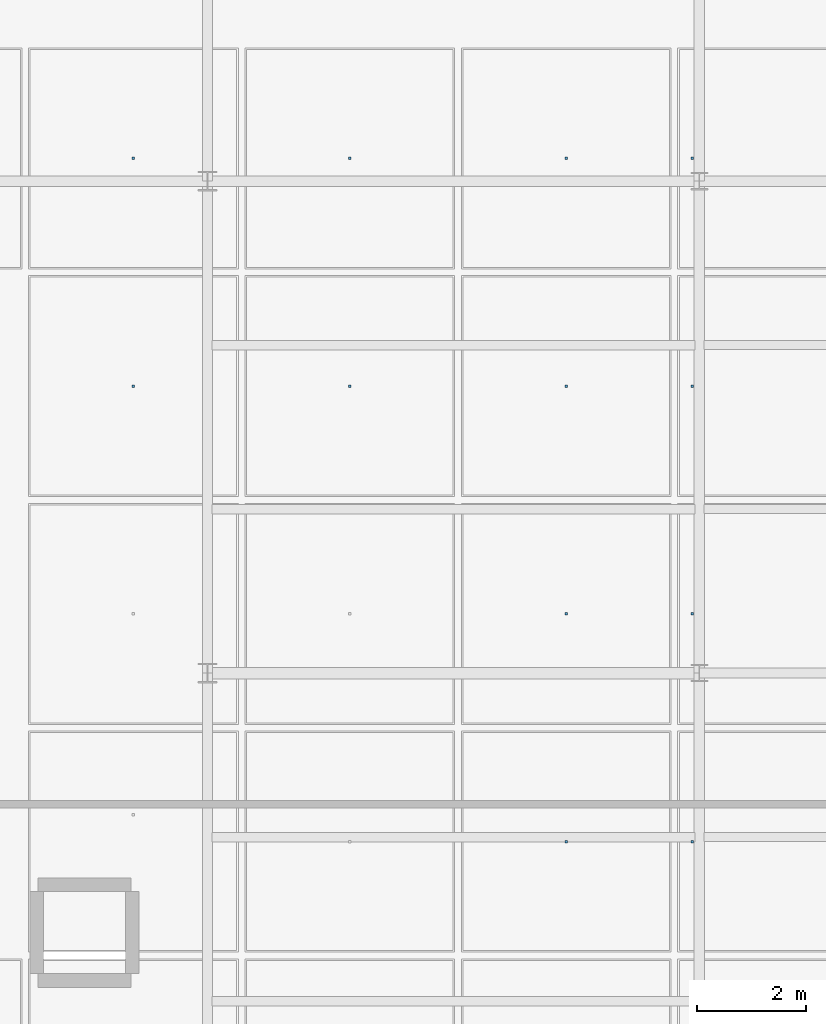
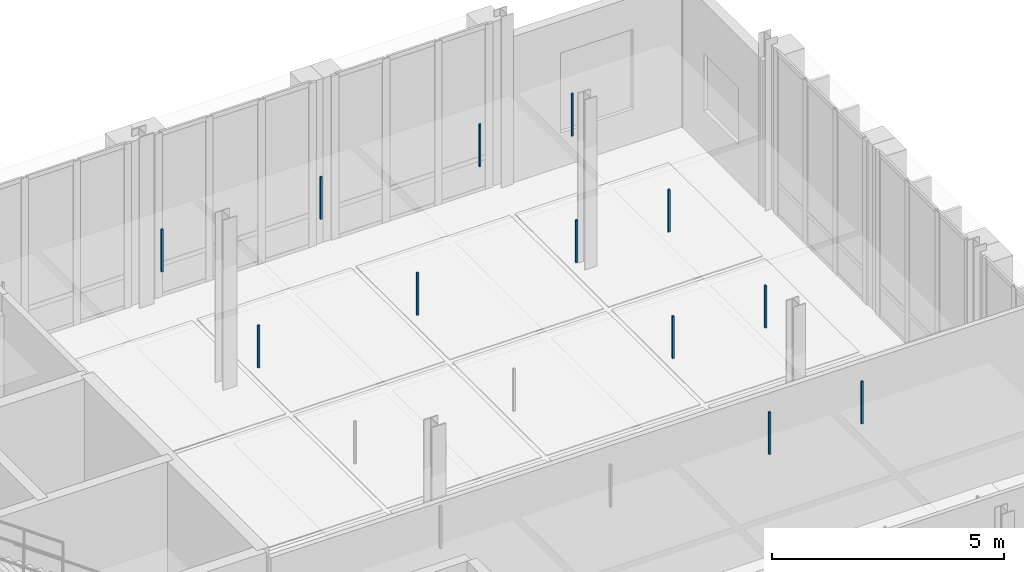
# One storey, part 116 of 130: 12 discrete accessories.
"""IFC4 building model written with IfcOpenShell, lengths in metres."""

from ifc_helpers import new_model, si_unit, direction, frame, origin, origin_2d, place, context, subcontext, project, spatial, rectangle, extrude, material, type_object, element, save


model = new_model("IFC4")

# Units and contexts
model_context = context("Model", 3, precision=1e-05, world=origin(), true_north=direction((0.0, 1.0)))
body_context = subcontext(model_context, "Body", "Model", "MODEL_VIEW")
ifc_project = project(units=[si_unit("LENGTHUNIT", "METRE"), si_unit("AREAUNIT", "SQUARE_METRE"), si_unit("VOLUMEUNIT", "CUBIC_METRE"), si_unit("PLANEANGLEUNIT", "RADIAN"), si_unit("MASSUNIT", "GRAM", prefix="KILO"), si_unit("THERMODYNAMICTEMPERATUREUNIT", "KELVIN"), si_unit("POWERUNIT", "WATT")], contexts=[model_context])

# Site, building, storey
site_placement = place(None, origin())
site = spatial("IfcSite", under=ifc_project, at=site_placement, CompositionType="ELEMENT")
building_placement = place(site_placement, origin())
building = spatial("IfcBuilding", under=site, at=building_placement, Name="Tallowbark Science Centre", CompositionType="ELEMENT")
storey_placement = place(building_placement, frame((0.0, 0.0, 5.39990234375)))
storey = spatial("IfcBuildingStorey", under=building, at=storey_placement, Name="L01", CompositionType="ELEMENT", Elevation=5.39990234375)

# Discrete accessories
ifc_material = material(Name="Galvanised Steel Grade C350L0 (350 MPa)", Category="steel")
discrete_accessory_type = type_object("IfcDiscreteAccessoryType", Name="ACC-CLG-HNG", PredefinedType="BRACKET", material=ifc_material)
for number, where, z_axis, x_axis, name in (
    (1, (147.145751953125, 104.25, 3.2060546875), (0.0, 0.0, 1.0), (1.0, 0.0, 0.0), "Ceiling Hanger Bracket L01-739"),
    (2, (147.145751953125, 108.416748046875, 3.2060546875), (0.0, 0.0, 1.0), (1.0, 0.0, 0.0), "Ceiling Hanger Bracket L01-740"),
    (3, (151.104248046875, 104.25, 3.2060546875), (0.0, 0.0, 1.0), (1.0, 0.0, 0.0), "Ceiling Hanger Bracket L01-748"),
    (4, (151.104248046875, 108.416748046875, 3.2060546875), (0.0, 0.0, 1.0), (1.0, 0.0, 0.0), "Ceiling Hanger Bracket L01-749"),
    (5, (155.0625, 95.916748046875, 3.2060546875), (0.0, 0.0, 1.0), (1.0, 0.0, 0.0), "Ceiling Hanger Bracket L01-755"),
    (6, (155.0625, 100.083251953125, 3.2060546875), (0.0, 0.0, 1.0), (1.0, 0.0, 0.0), "Ceiling Hanger Bracket L01-756"),
    (7, (155.0625, 104.25, 3.2060546875), (0.0, 0.0, 1.0), (1.0, 0.0, 0.0), "Ceiling Hanger Bracket L01-757"),
    (8, (155.0625, 108.416748046875, 3.2060546875), (0.0, 0.0, 1.0), (1.0, 0.0, 0.0), "Ceiling Hanger Bracket L01-758"),
    (9, (157.36572265625, 95.916748046875, 3.2060546875), (0.0, 0.0, 1.0), (1.0, 0.0, 0.0), "Ceiling Hanger Bracket L01-764"),
    (10, (157.36572265625, 100.083251953125, 3.2060546875), (0.0, 0.0, 1.0), (1.0, 0.0, 0.0), "Ceiling Hanger Bracket L01-765"),
    (11, (157.36572265625, 104.25, 3.2060546875), (0.0, 0.0, 1.0), (1.0, 0.0, 0.0), "Ceiling Hanger Bracket L01-766"),
    (12, (157.36572265625, 108.416748046875, 3.2060546875), (0.0, 0.0, 1.0), (1.0, 0.0, 0.0), "Ceiling Hanger Bracket L01-767"),
):
    element("IfcDiscreteAccessory", number, at=place(storey_placement, frame(where, z_axis=z_axis, x_axis=x_axis)), inside=storey, type_object=discrete_accessory_type, Name=name, PredefinedType="BRACKET", context=body_context, shape_type="SweptSolid", body=[
        extrude(rectangle(XDim=0.044921875, YDim=0.044921875, at=origin_2d()), origin(), (0.0, 0.0, 1.0), 1.116943359375),
    ])

save(model, "model.ifc")
